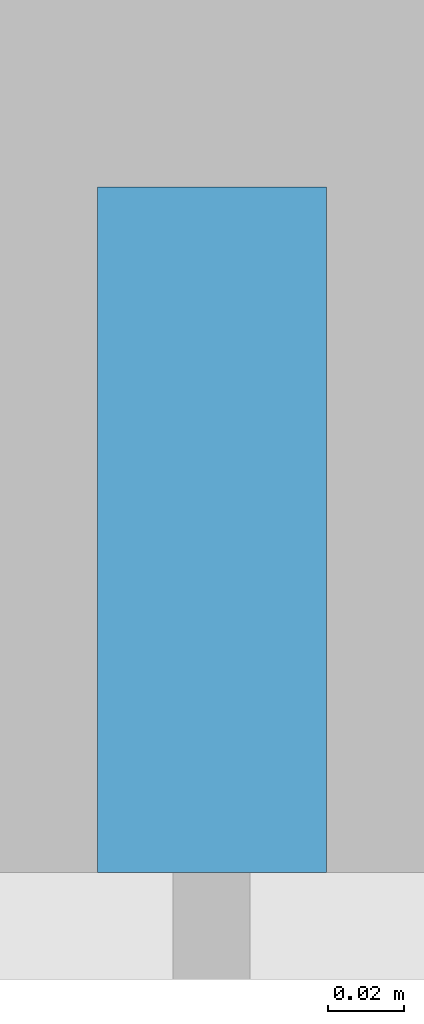
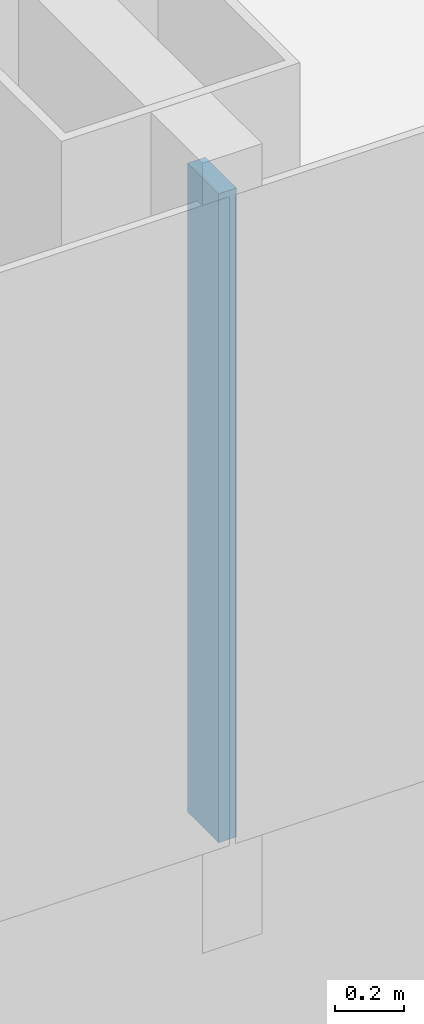
# One storey, part 4 of 29: 1 member, 1 element without a shape of its own.
"""IFC4 building model written with IfcOpenShell, lengths in metres."""

from ifc_helpers import new_model, si_unit, direction, frame, origin, origin_2d, place, context, subcontext, project, spatial, rectangle, extrude, material, layer, layer_set, material_profile, profile_set, type_object, element, aggregate, save


model = new_model("IFC4")

# Units and contexts
model_context = context("Model", 3, precision=1e-05, world=origin(), true_north=direction((0.0, 1.0)))
body_context = subcontext(model_context, "Body", "Model", "MODEL_VIEW")
ifc_project = project(units=[si_unit("LENGTHUNIT", "METRE"), si_unit("AREAUNIT", "SQUARE_METRE"), si_unit("VOLUMEUNIT", "CUBIC_METRE"), si_unit("PLANEANGLEUNIT", "RADIAN"), si_unit("MASSUNIT", "GRAM", prefix="KILO")], contexts=[model_context])

# Site, building, storey
site_placement = place(None, origin())
site = spatial("IfcSite", under=ifc_project, at=site_placement, CompositionType="ELEMENT")
building_placement = place(site_placement, origin())
building = spatial("IfcBuilding", under=site, at=building_placement, Name="Hakoniwa Tower and Hamabe Station Hall", CompositionType="ELEMENT")
storey_placement = place(building_placement, frame((0.0, 0.0, 104.199951171875)))
storey = spatial("IfcBuildingStorey", under=building, at=storey_placement, Name="L29", CompositionType="ELEMENT", Elevation=104.199951171875)

# Curtain wall, member
ifc_material_1 = material(Name="Dark low-e laminated glass", Category="glass")
ifc_layer = layer(ifc_material_1, 0.199951171875)
ifc_layer_set = layer_set([ifc_layer], Name="CW-1 UNITISED GUEST")
curtain_wall_type = type_object("IfcCurtainWallType", Name="CW-1 UNITISED GUEST", PredefinedType="NOTDEFINED", material=ifc_layer_set)
curtain_wall_placement = place(storey_placement, origin())
curtain_wall = element("IfcCurtainWall", 1, at=curtain_wall_placement, inside=storey, type_object=curtain_wall_type, Name="CW-1 curtain wall", PredefinedType="NOTDEFINED")
ifc_material_2 = material(Name="Aluminium 6063-T5 black anodised", Category="aluminium")
ifc_material_profile = material_profile(ifc_material_2, rectangle(XDim=0.06005859375, YDim=0.179931640625, at=origin_2d()), Name="CW-1 MULLION 60X180")
ifc_profile_set = profile_set([ifc_material_profile], Name="Aluminium 6063-T5 black anodised")
member_type = type_object("IfcMemberType", Name="CW-1 MULLION 60X180", PredefinedType="MULLION", material=ifc_profile_set)
member_placement = place(storey_placement, frame((-8.39990234375, -15.431884765625, 0.35009765625), z_axis=(0.0, 0.0, 1.0), x_axis=(1.0, 0.0, 0.0)))
member = element("IfcMember", 2, at=member_placement, type_object=member_type, Name="CW-1 mullion", PredefinedType="MULLION", context=body_context, shape_type="SweptSolid", body=[
    extrude(rectangle(XDim=0.06005859375, YDim=0.179931640625, at=origin_2d()), origin(), (0.0, 0.0, 1.0), 2.300048828125),
])
aggregate(curtain_wall, [member])

save(model, "model.ifc")
